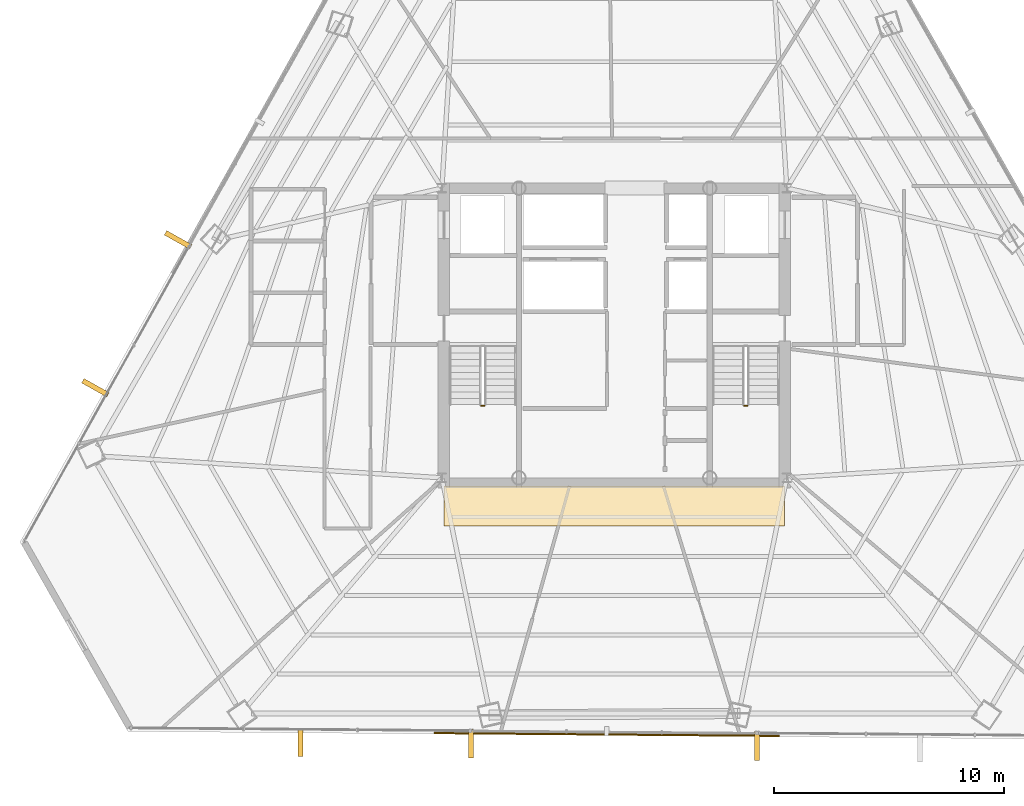
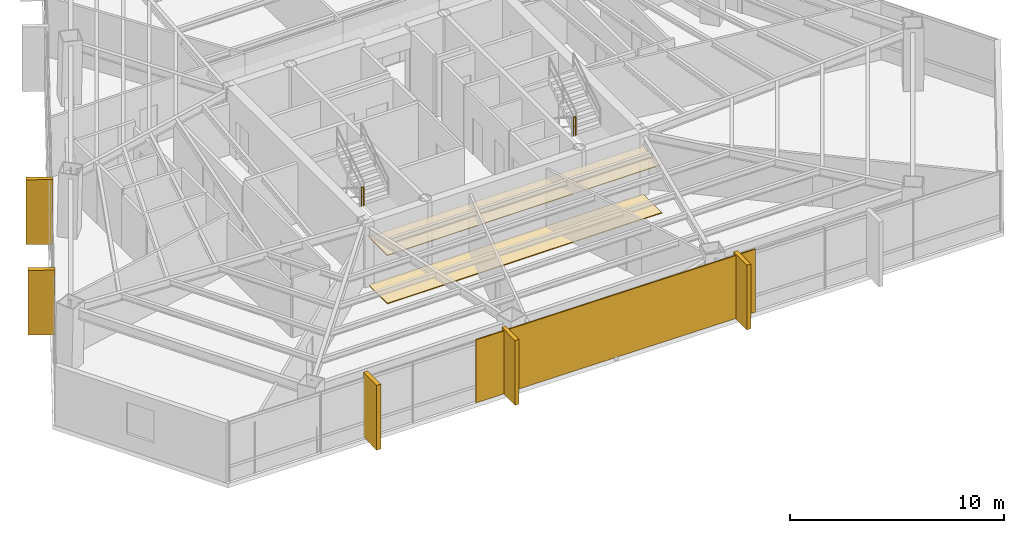
# One storey, part 37 of 39: 7 coverings, 2 railings, 1 shading device.
"""IFC4 building model written with IfcOpenShell, lengths in metres."""

from ifc_helpers import new_model, si_unit, direction, frame, origin, origin_2d, place, context, subcontext, project, spatial, polyline, rectangle, outline, extrude, source, transform, mapped, material, layer, layer_set, type_object, type_shapes, element, save


model = new_model("IFC4")

# Units and contexts
model_context = context("Model", 3, precision=1e-05, world=origin(), true_north=direction((0.0, 1.0)))
body_context = subcontext(model_context, "Body", "Model", "MODEL_VIEW")
ifc_project = project(units=[si_unit("LENGTHUNIT", "METRE"), si_unit("AREAUNIT", "SQUARE_METRE"), si_unit("VOLUMEUNIT", "CUBIC_METRE"), si_unit("PLANEANGLEUNIT", "RADIAN"), si_unit("MASSUNIT", "GRAM", prefix="KILO")], contexts=[model_context])

# Site, building, storey
site_placement = place(None, origin())
site = spatial("IfcSite", under=ifc_project, at=site_placement, CompositionType="ELEMENT")
building_placement = place(site_placement, origin())
building = spatial("IfcBuilding", under=site, at=building_placement, Name="Caelisora Broadcast Tower", CompositionType="ELEMENT")
storey_placement = place(building_placement, frame((0.0, 0.0, 142.75)))
storey = spatial("IfcBuildingStorey", under=building, at=storey_placement, Name="L37", CompositionType="ELEMENT", Elevation=142.75)

# Coverings
ifc_material_1 = material(Name="Perforated Mineral-Fibre Acoustic Ceiling Tile", Category="gypsum")
ifc_layer_1 = layer(ifc_material_1, 0.034912109375, Name="Perforated Mineral-Fibre Acoustic Ceiling Tile")
ifc_layer_set_1 = layer_set([ifc_layer_1], Name="Perforated Mineral-Fibre Acoustic Ceiling Tile")
covering_type_1 = type_object("IfcCoveringType", Name="CE-1", PredefinedType="CEILING", material=ifc_layer_set_1)
covering_1_placement = place(storey_placement, frame((0.0, 0.0, 2.75)))
element("IfcCovering", 1, at=covering_1_placement, inside=storey, type_object=covering_type_1, Name="L37 acoustic corridor ceiling CE-1 (S)", PredefinedType="CEILING", context=body_context, shape_type="SweptSolid", body=[
    extrude(outline(polyline([(30.60009765625, 15.300048828125), (45.39990234375, 15.300048828125), (45.39990234375, 17.050048828125), (30.60009765625, 17.050048828125), (30.60009765625, 15.300048828125)])), origin(), (0.0, 0.0, 1.0), 0.034912109375),
])
ifc_material_2 = material(Name="Anti-Static Broadcast Raised Access Floor Panel", Category="steel")
ifc_layer_2 = layer(ifc_material_2, 0.044921875, Name="Anti-Static Broadcast Raised Access Floor Panel")
ifc_layer_set_2 = layer_set([ifc_layer_2], Name="Anti-Static Broadcast Raised Access Floor Panel")
covering_type_2 = type_object("IfcCoveringType", Name="FL-1", PredefinedType="FLOORING", material=ifc_layer_set_2)
covering_2_placement = place(storey_placement, origin())
element("IfcCovering", 2, at=covering_2_placement, inside=storey, type_object=covering_type_2, Name="L37 broadcast raised access floor FL-1 (S)", PredefinedType="FLOORING", context=body_context, shape_type="SweptSolid", body=[
    extrude(outline(polyline([(30.60009765625, 15.300048828125), (45.39990234375, 15.300048828125), (45.39990234375, 17.050048828125), (30.60009765625, 17.050048828125), (30.60009765625, 15.300048828125)])), origin(), (0.0, 0.0, 1.0), 0.044921875),
])

# Railings
ifc_material_3 = material(Name="Galvanised Steel Safety Guardrail", Category="steel")
ifc_layer_3 = layer(ifc_material_3, 0.048095703125, Name="Galvanised Steel Safety Guardrail")
ifc_layer_set_3 = layer_set([ifc_layer_3], Name="Galvanised Steel Safety Guardrail")
railing_type = type_object("IfcRailingType", Name="GR-1", PredefinedType="GUARDRAIL", material=ifc_layer_set_3)
for number, where, name in (
    (3, (32.219970703125, 20.530029296875, 1.824951171875), "L37 ST-1 stair guard 2"),
    (4, (43.659912109375, 20.530029296875, 1.824951171875), "L37 ST-2 stair guard 2"),
):
    element("IfcRailing", number, at=place(storey_placement, frame(where)), inside=storey, type_object=railing_type, Name=name, PredefinedType="GUARDRAIL", context=body_context, shape_type="SweptSolid", body=[
        extrude(rectangle(XDim=0.048095703125, YDim=0.048095703125, at=origin_2d()), frame((0.0, 0.0, 1.076171875), z_axis=(1.0, 0.0, 0.0), x_axis=(0.0, 1.0, 0.0)), (0.0, 0.0, 1.0), 0.1201171875),
        extrude(rectangle(XDim=0.03125, YDim=0.03125, at=origin_2d()), frame((0.0, 0.0, 0.550048828125), z_axis=(1.0, 0.0, 0.0), x_axis=(0.0, 1.0, 0.0)), (0.0, 0.0, 1.0), 0.1201171875),
        extrude(rectangle(XDim=0.0419921875, YDim=0.0419921875, at=origin_2d()), origin(), (0.0, 0.0, 1.0), 1.052001953125),
        extrude(rectangle(XDim=0.0419921875, YDim=0.0419921875, at=origin_2d()), frame((0.1201171875, 0.0, 0.0)), (0.0, 0.0, 1.0), 1.052001953125),
    ])

# Coverings
ifc_material_4 = material(Name="Kiln-Fired Terracotta Spandrel Rainscreen Cladding", Category="ceramic")
ifc_layer_4 = layer(ifc_material_4, 0.044921875, Name="Kiln-Fired Terracotta Spandrel Rainscreen Cladding")
ifc_layer_set_4 = layer_set([ifc_layer_4], Name="Kiln-Fired Terracotta Spandrel Rainscreen Cladding")
covering_type_3 = type_object("IfcCoveringType", Name="CL-1", PredefinedType="CLADDING", material=ifc_layer_set_4)
shared_shape_1 = source(origin(), body_context, "Body", "SweptSolid", [
    extrude(rectangle(XDim=0.219970703125, YDim=1.25, at=origin_2d()), origin(), (0.0, 0.0, 1.0), 3.68994140625),
])
type_shapes(covering_type_3, [shared_shape_1])
for number, where, z_axis, x_axis, name in (
    (5, (44.20849609375, 5.732421875, -0.02001953125), (0.0, 0.0, 1.0), (-0.999966355195, 0.008202955488, 0.0), "L37 vertical solar fin cladding #2-2"),
    (6, (31.7705078125, 5.834228515625, -0.02001953125), (0.0, 0.0, 1.0), (-0.999966355195, 0.008202955488, 0.0), "L37 vertical solar fin cladding #2-3"),
    (7, (24.349365234375, 5.895263671875, -0.02001953125), (0.0, 0.0, 1.0), (-0.999966355195, 0.008202955488, 0.0), "L37 vertical solar fin cladding #2-4"),
    (8, (15.430419921875, 21.31591796875, -0.02001953125), (0.0, 0.0, 1.0), (0.487707298065, 0.873007211547, 0.0), "L37 vertical solar fin cladding #3-1"),
    (9, (19.02587890625, 27.75048828125, -0.02001953125), (0.0, 0.0, 1.0), (0.487707298065, 0.873007211547, 0.0), "L37 vertical solar fin cladding #3-2"),
):
    element("IfcCovering", number, at=place(storey_placement, frame(where, z_axis=z_axis, x_axis=x_axis)), inside=storey, type_object=covering_type_3, Name=name, PredefinedType="CLADDING", context=body_context, shape_type="MappedRepresentation", body=[
        mapped(shared_shape_1, transform((0.0, 0.0, 0.0), scale=1.0)),
    ])

# Shading device
ifc_material_5 = material(Name="Perforated Glazed Terracotta Baguette Solar Screen", Category="ceramic")
ifc_layer_5 = layer(ifc_material_5, 0.06494140625, Name="Perforated Glazed Terracotta Baguette Solar Screen")
ifc_layer_set_5 = layer_set([ifc_layer_5], Name="Perforated Glazed Terracotta Baguette Solar Screen")
shading_device_type = type_object("IfcShadingDeviceType", Name="SS-1", PredefinedType="USERDEFINED", material=ifc_layer_set_5)
shared_shape_2 = source(origin(), body_context, "Body", "SweptSolid", [
    extrude(rectangle(XDim=14.992919921875, YDim=0.06494140625, at=origin_2d()), origin(), (0.0, 0.0, 1.0), 3.590087890625),
])
type_shapes(shading_device_type, [shared_shape_2])
shading_device_placement = place(storey_placement, frame((37.667724609375, 6.236083984375, 0.0), z_axis=(0.0, 0.0, 1.0), x_axis=(0.999966355195, -0.008202955488, 0.0)))
element("IfcShadingDevice", 10, at=shading_device_placement, inside=storey, type_object=shading_device_type, Name="L37 perforated terracotta solar screen #2", ObjectType="SOLAR SCREEN", PredefinedType="USERDEFINED", context=body_context, shape_type="MappedRepresentation", body=[
    mapped(shared_shape_2, transform((0.0, 0.0, 0.0), scale=1.0)),
])

save(model, "model.ifc")
